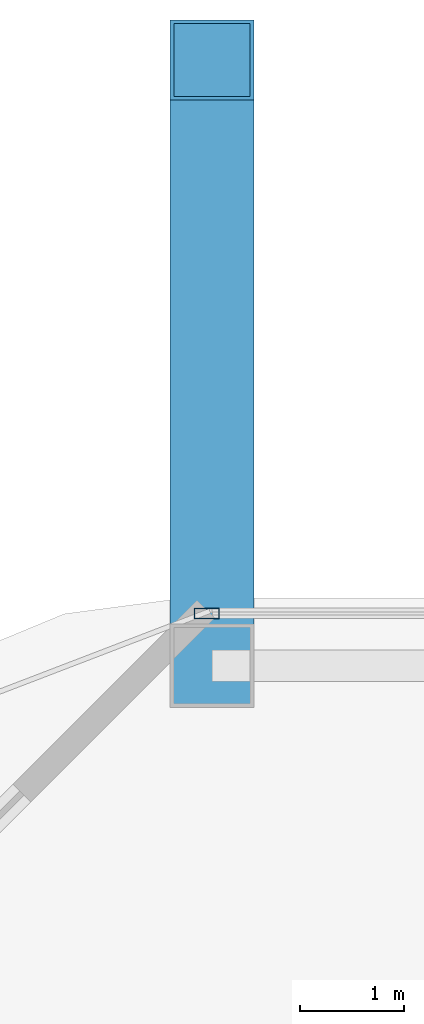
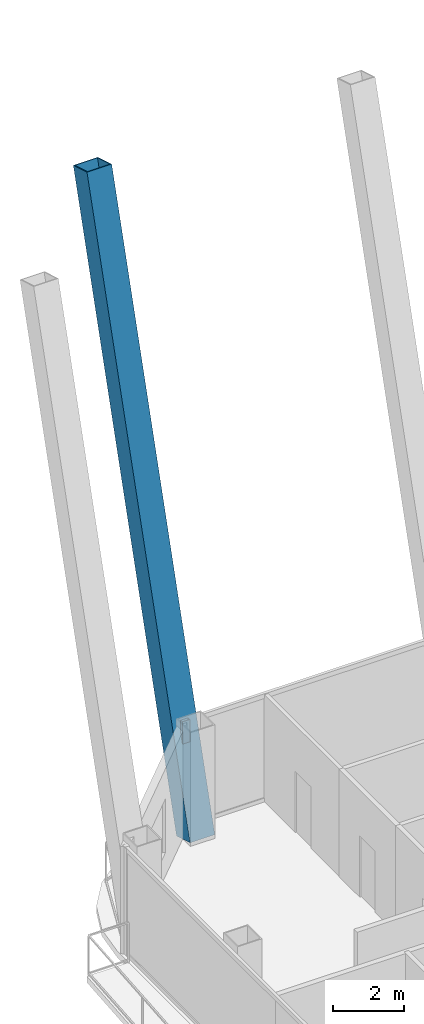
# One storey, part 15 of 33: 2 members, 1 element without a shape of its own.
"""IFC4 building model written with IfcOpenShell, lengths in metres."""

from ifc_helpers import new_model, si_unit, direction, frame, origin, origin_2d, place, context, subcontext, project, spatial, hollow_rectangle, extrude, material, layer, layer_set, material_profile, profile_set, type_object, element, aggregate, save


model = new_model("IFC4")

# Units and contexts
model_context = context("Model", 3, precision=1e-05, world=origin(), true_north=direction((0.0, 1.0)))
body_context = subcontext(model_context, "Body", "Model", "MODEL_VIEW")
ifc_project = project(units=[si_unit("LENGTHUNIT", "METRE"), si_unit("AREAUNIT", "SQUARE_METRE"), si_unit("VOLUMEUNIT", "CUBIC_METRE"), si_unit("PLANEANGLEUNIT", "RADIAN"), si_unit("MASSUNIT", "GRAM", prefix="KILO")], contexts=[model_context])

# Site, building, storey
site_placement = place(None, origin())
site = spatial("IfcSite", under=ifc_project, at=site_placement, CompositionType="ELEMENT")
building_placement = place(site_placement, origin())
building = spatial("IfcBuilding", under=site, at=building_placement, Name="Khorvyn Point Tower", CompositionType="ELEMENT")
storey_placement = place(building_placement, frame((0.0, 0.0, 65.699951171875)))
storey = spatial("IfcBuildingStorey", under=building, at=storey_placement, Name="L17", CompositionType="ELEMENT", Elevation=65.699951171875)

# Curtain wall, member
ifc_material_1 = material(Name="Anodised aluminium 6063-T6 and laminated Low-E glass", Category="aluminium")
ifc_layer = layer(ifc_material_1, 0.18994140625)
ifc_layer_set = layer_set([ifc_layer], Name="Stick-Built Finned Residential Curtain Wall CW-SYS-02")
curtain_wall_type = type_object("IfcCurtainWallType", Name="Stick-Built Finned Residential Curtain Wall CW-SYS-02", PredefinedType="NOTDEFINED", material=ifc_layer_set)
curtain_wall_placement = place(storey_placement, origin())
curtain_wall = element("IfcCurtainWall", 1, at=curtain_wall_placement, inside=storey, type_object=curtain_wall_type, Name="Curtain Wall", PredefinedType="NOTDEFINED")
ifc_material_2 = material(Name="Anodised aluminium 6063-T6", Category="aluminium")
ifc_material_profile_1 = material_profile(ifc_material_2, hollow_rectangle(XDim=0.10009765625, YDim=0.239990234375, WallThickness=0.0048828125, at=origin_2d()))
ifc_profile_set_1 = profile_set([ifc_material_profile_1], Name="Anodised aluminium 6063-T6 ALU-MUL-100x240")
member_type_1 = type_object("IfcMemberType", Name="Anodised Aluminium 6063-T6 Mullion ALU-MUL-100x240", PredefinedType="MULLION", material=ifc_profile_set_1)
member_1_placement = place(storey_placement, frame((-23.39990234375, 25.050048828125, 0.0), z_axis=(0.0, 0.0, 1.0), x_axis=(0.0, 1.0, 0.0)))
member_1 = element("IfcMember", 2, at=member_1_placement, type_object=member_type_1, Name="Transom", PredefinedType="MULLION", context=body_context, shape_type="SweptSolid", body=[
    extrude(hollow_rectangle(XDim=0.10009765625, YDim=0.239990234375, WallThickness=0.0048828125, at=origin_2d()), origin(), (0.0, 0.0, 1.0), 3.679931640625),
])
aggregate(curtain_wall, [member_1])

# Member
ifc_material_3 = material(Name="Steel S450", Category="steel")
ifc_material_profile_2 = material_profile(ifc_material_3, hollow_rectangle(XDim=0.800048828125, YDim=0.800048828125, WallThickness=0.035888671875, at=origin_2d()))
ifc_profile_set_2 = profile_set([ifc_material_profile_2], Name="Steel S450 BOX800x800x36")
member_type_2 = type_object("IfcMemberType", Name="Steel S450 Exoskeleton Structural Post BOX800x800x36", PredefinedType="POST", material=ifc_profile_set_2)
member_2_placement = place(storey_placement, frame((-23.35009765625, 24.550048828125, 0.0), z_axis=(0.0, 0.285094530681, 0.958499404578), x_axis=(-1.0, 0.0, 0.0)))
element("IfcMember", 3, at=member_2_placement, inside=storey, type_object=member_type_2, Name="L17 to L21 Exoskeleton Transfer Post 03", PredefinedType="POST", context=body_context, shape_type="SweptSolid", body=[
    extrude(hollow_rectangle(XDim=0.800048828125, YDim=0.800048828125, WallThickness=0.035888671875, at=origin_2d()), origin(), (0.0, 0.0, 1.0), 20.34423828125),
])

save(model, "model.ifc")
